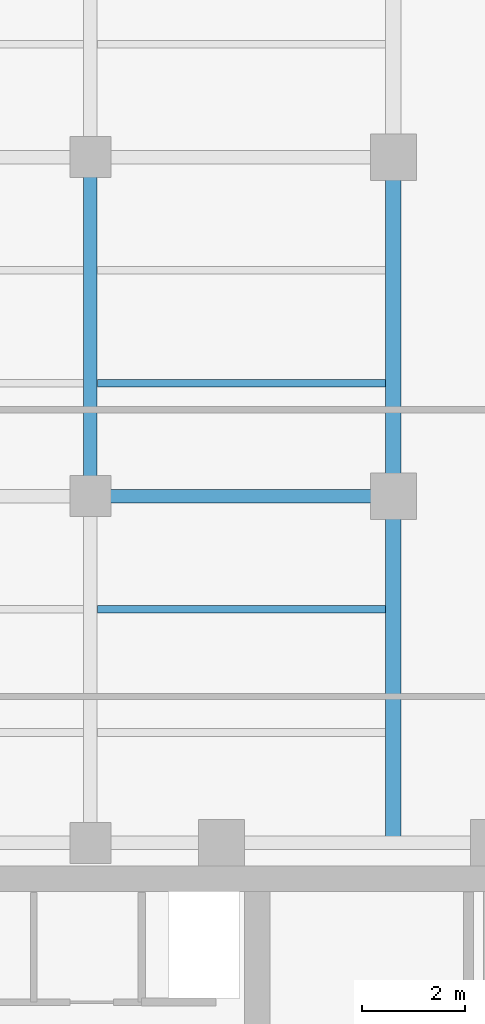
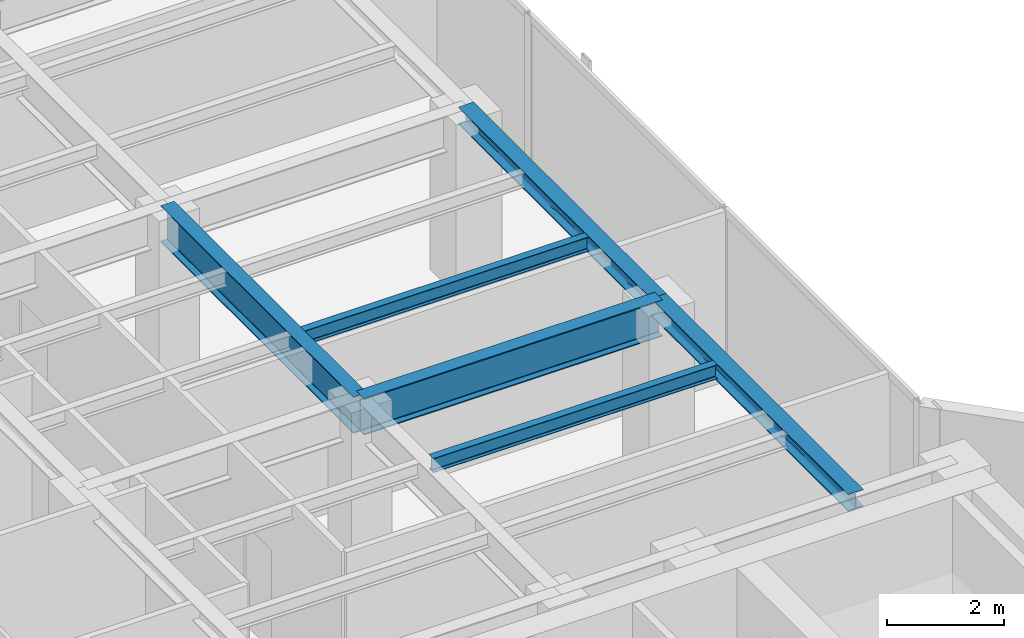
# One storey, part 9 of 24: 6 beams.
"""IFC4 building model written with IfcOpenShell, lengths in metres."""

from ifc_helpers import new_model, si_unit, direction, frame, origin, origin_2d, place, context, subcontext, project, spatial, i_section, extrude, material, material_profile, profile_set, type_object, element, save


model = new_model("IFC4")

# Units and contexts
model_context = context("Model", 3, precision=1e-05, world=origin(), true_north=direction((0.0, 1.0)))
body_context = subcontext(model_context, "Body", "Model", "MODEL_VIEW")
ifc_project = project(units=[si_unit("LENGTHUNIT", "METRE"), si_unit("AREAUNIT", "SQUARE_METRE"), si_unit("VOLUMEUNIT", "CUBIC_METRE"), si_unit("PLANEANGLEUNIT", "RADIAN"), si_unit("MASSUNIT", "GRAM", prefix="KILO")], contexts=[model_context])

# Site, building, storey
site_placement = place(None, origin())
site = spatial("IfcSite", under=ifc_project, at=site_placement, CompositionType="ELEMENT")
building_placement = place(site_placement, origin())
building = spatial("IfcBuilding", under=site, at=building_placement, Name="Kolvaren Waterfront Exchange", CompositionType="ELEMENT")
storey_placement = place(building_placement, frame((0.0, 0.0, 285.60009765625)))
storey = spatial("IfcBuildingStorey", under=building, at=storey_placement, Name="L73", CompositionType="ELEMENT", Elevation=285.60009765625)

# Beams
ifc_material = material(Name="Steel S355", Category="steel")
ifc_material_profile_1 = material_profile(ifc_material, i_section(OverallWidth=0.300048828125, OverallDepth=0.360107421875, WebThickness=0.012451171875, FlangeThickness=0.0224609375, FilletRadius=0.027099609375, at=origin_2d()), Name="HEB360")
ifc_profile_set_1 = profile_set([ifc_material_profile_1], Name="Steel S355")
beam_type_1 = type_object("IfcBeamType", Name="STR-BM-HEB360", PredefinedType="SPANDREL", material=ifc_profile_set_1)
beam_1_placement = place(storey_placement, frame((18.800048828125, 24.449951171875, 3.3798828125), z_axis=(0.0, 1.0, 0.0), x_axis=(-1.0, 0.0, 0.0)))
element("IfcBeam", 1, at=beam_1_placement, inside=storey, type_object=beam_type_1, Name="L73 north-arm edge beam 1", PredefinedType="SPANDREL", context=body_context, shape_type="SweptSolid", body=[
    extrude(i_section(OverallWidth=0.300048828125, OverallDepth=0.360107421875, WebThickness=0.012451171875, FlangeThickness=0.0224609375, FilletRadius=0.027099609375, at=origin_2d()), origin(), (0.0, 0.0, 1.0), 6.75),
])
beam_2_placement = place(storey_placement, frame((18.800048828125, 31.199951171875, 3.3798828125), z_axis=(0.0, 1.0, 0.0), x_axis=(-1.0, 0.0, 0.0)))
element("IfcBeam", 2, at=beam_2_placement, inside=storey, type_object=beam_type_1, Name="L73 north-arm edge beam 2", PredefinedType="SPANDREL", context=body_context, shape_type="SweptSolid", body=[
    extrude(i_section(OverallWidth=0.300048828125, OverallDepth=0.360107421875, WebThickness=0.012451171875, FlangeThickness=0.0224609375, FilletRadius=0.027099609375, at=origin_2d()), origin(), (0.0, 0.0, 1.0), 6.60009765625),
])
ifc_material_profile_2 = material_profile(ifc_material, i_section(OverallWidth=0.14990234375, OverallDepth=0.300048828125, WebThickness=0.007080078125, FlangeThickness=0.0107421875, FilletRadius=0.014892578125, at=origin_2d()), Name="IPE300")
ifc_profile_set_2 = profile_set([ifc_material_profile_2], Name="Steel S355")
beam_type_2 = type_object("IfcBeamType", Name="STR-BM-IPE300", PredefinedType="JOIST", material=ifc_profile_set_2)
for number, where, z_axis, x_axis, name in (
    (3, (13.035400390625, 29.0, 3.409912109375), (1.0, 0.0, 0.0), (0.0, 1.0, 0.0), "L73 north-arm composite joist 2B"),
    (4, (13.035400390625, 33.39990234375, 3.409912109375), (1.0, 0.0, 0.0), (0.0, 1.0, 0.0), "L73 north-arm composite joist 3B"),
):
    element("IfcBeam", number, at=place(storey_placement, frame(where, z_axis=z_axis, x_axis=x_axis)), inside=storey, type_object=beam_type_2, Name=name, PredefinedType="JOIST", context=body_context, shape_type="SweptSolid", body=[
        extrude(i_section(OverallWidth=0.14990234375, OverallDepth=0.300048828125, WebThickness=0.007080078125, FlangeThickness=0.0107421875, FilletRadius=0.014892578125, at=origin_2d()), origin(), (0.0, 0.0, 1.0), 5.612548828125),
    ])
ifc_material_profile_3 = material_profile(ifc_material, i_section(OverallWidth=0.26708984375, OverallDepth=0.761962890625, WebThickness=0.014404296875, FlangeThickness=0.021484375, FilletRadius=0.01708984375, at=origin_2d()), Name="IPE750x173")
ifc_profile_set_3 = profile_set([ifc_material_profile_3], Name="Steel S355")
beam_type_3 = type_object("IfcBeamType", Name="STR-BM-IPE750", PredefinedType="BEAM", material=ifc_profile_set_3)
beam_3_placement = place(storey_placement, frame((12.89990234375, 31.199951171875, 3.178955078125), z_axis=(1.0, 0.0, 0.0), x_axis=(0.0, 1.0, 0.0)))
element("IfcBeam", 5, at=beam_3_placement, inside=storey, type_object=beam_type_3, Name="L73 north-arm girder 2B", PredefinedType="BEAM", context=body_context, shape_type="SweptSolid", body=[
    extrude(i_section(OverallWidth=0.26708984375, OverallDepth=0.761962890625, WebThickness=0.014404296875, FlangeThickness=0.021484375, FilletRadius=0.01708984375, at=origin_2d()), origin(), (0.0, 0.0, 1.0), 5.900146484375),
])
beam_4_placement = place(storey_placement, frame((12.89990234375, 31.199951171875, 3.178955078125), z_axis=(0.0, 1.0, 0.0), x_axis=(-1.0, 0.0, 0.0)))
element("IfcBeam", 6, at=beam_4_placement, inside=storey, type_object=beam_type_3, Name="L73 north-arm edge beam 2", PredefinedType="BEAM", context=body_context, shape_type="SweptSolid", body=[
    extrude(i_section(OverallWidth=0.26708984375, OverallDepth=0.761962890625, WebThickness=0.014404296875, FlangeThickness=0.021484375, FilletRadius=0.01708984375, at=origin_2d()), origin(), (0.0, 0.0, 1.0), 6.60009765625),
])

save(model, "model.ifc")
